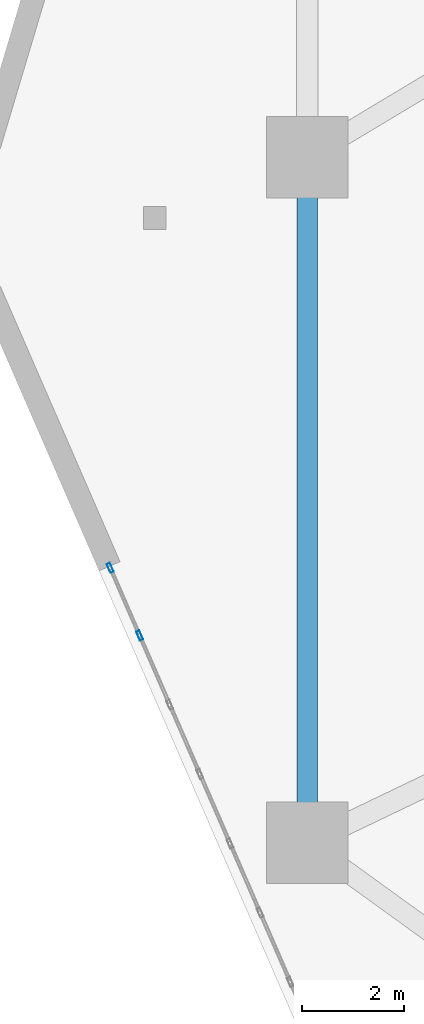
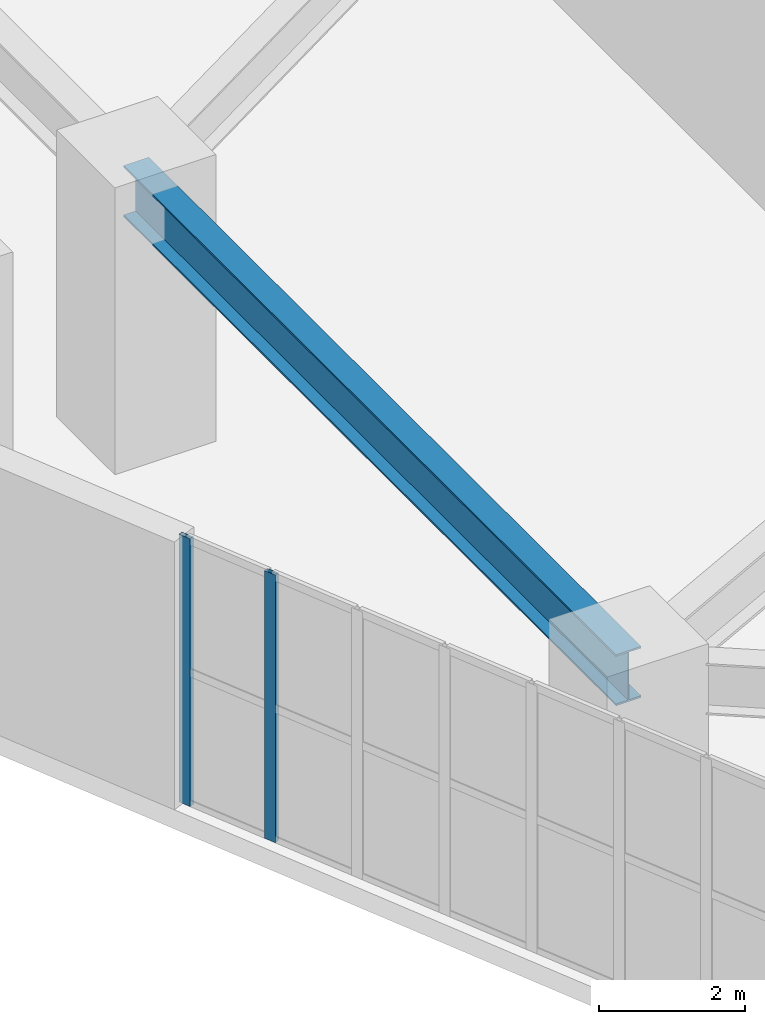
# One storey, part 7 of 17: 2 members, 1 beam, 1 element without a shape of its own.
"""IFC4 building model written with IfcOpenShell, lengths in metres."""

import ifcopenshell
import ifcopenshell.guid

model = None  # the IFC model being written
_history = None  # IfcOwnerHistory: only IFC2X3 demands one
_inside = {}  # id of a spatial element -> (the spatial element, [elements in it])
_under = {}  # id of a project, library or spatial element -> (it, [spatial elements below it])
_declared = {}  # id of a project -> (the project, [libraries it declares])
_typed = {}  # id of a type object -> (the type object, [elements of that type])
_made_of = {}  # id of a material, layer set ... -> (it, [elements and type objects made of it])


def new_model(schema):
    """Start an empty IFC model of exactly this schema.

    Asked for "IFC4X3", IfcOpenShell would pick the latest addendum, in which some entities
    have other attributes; the version numbers below select the first issue.
    IFC2X3 requires an IfcOwnerHistory on every rooted entity: one is made here for all.
    """
    global model, _history
    if schema == "IFC4X3":
        model = ifcopenshell.file(schema_version=(4, 3, 0, 0))
    else:
        model = ifcopenshell.file(schema=schema)
    _inside.clear()
    _under.clear()
    _declared.clear()
    _typed.clear()
    _made_of.clear()
    _history = None
    if model.schema == "IFC2X3":
        org = make("IfcOrganization", Name="unknown")
        user = make(
            "IfcPersonAndOrganization",
            ThePerson=make("IfcPerson", FamilyName="unknown"),
            TheOrganization=org,
        )
        app = make(
            "IfcApplication",
            ApplicationDeveloper=org,
            Version="unknown",
            ApplicationFullName="unknown",
            ApplicationIdentifier="unknown",
        )
        _history = make(
            "IfcOwnerHistory",
            OwningUser=user,
            OwningApplication=app,
            ChangeAction="ADDED",
            CreationDate=0,
        )
    return model


def make(cls, **values):
    """One entity of the class cls with the attributes given. An attribute that is None is left unset."""
    return model.create_entity(
        cls, **{name: value for name, value in values.items() if value is not None}
    )


def rooted(cls, **values):
    """An entity with a GlobalId (a new one), such as an element, a storey or a relation."""
    return make(cls, GlobalId=ifcopenshell.guid.new(), OwnerHistory=_history, **values)


def si_unit(unit_type, name, prefix=None):
    """IfcSIUnit, for example si_unit("LENGTHUNIT", "METRE", prefix="MILLI")."""
    return make("IfcSIUnit", UnitType=unit_type, Prefix=prefix, Name=name)


def assignment(units):
    """IfcUnitAssignment: the units of a project."""
    return None if units is None else make("IfcUnitAssignment", Units=units)


def point(xyz):
    """IfcCartesianPoint."""
    return None if xyz is None else make("IfcCartesianPoint", Coordinates=xyz)


def direction(xyz):
    """IfcDirection."""
    return None if xyz is None else make("IfcDirection", DirectionRatios=xyz)


def frame(location, z_axis=None, x_axis=None):
    """IfcAxis2Placement3D, a coordinate frame: its origin and axes. An axis left out is left unset."""
    return make(
        "IfcAxis2Placement3D",
        Location=point(location),
        Axis=direction(z_axis),
        RefDirection=direction(x_axis),
    )


def frame_2d(location, x_axis=None):
    """IfcAxis2Placement2D, a coordinate frame in the plane: its origin and x axis."""
    return make(
        "IfcAxis2Placement2D", Location=point(location), RefDirection=direction(x_axis)
    )


def origin():
    """The frame at (0, 0, 0) with its axes left unset."""
    return frame((0.0, 0.0, 0.0))


def origin_2d():
    """The frame at (0, 0) in the plane with its x axis left unset."""
    return frame_2d((0.0, 0.0))


def place(relative_to, where):
    """IfcLocalPlacement: puts the frame where relative to a parent placement (None: the world)."""
    return make(
        "IfcLocalPlacement", PlacementRelTo=relative_to, RelativePlacement=where
    )


def context(
    kind, dimensions, precision=None, world=None, true_north=None, identifier=None
):
    """IfcGeometricRepresentationContext, for example the 3D "Model" context."""
    return make(
        "IfcGeometricRepresentationContext",
        ContextIdentifier=identifier,
        ContextType=kind,
        CoordinateSpaceDimension=dimensions,
        Precision=precision,
        WorldCoordinateSystem=world,
        TrueNorth=true_north,
    )


def subcontext(parent, identifier, kind, view, scale=None):
    """IfcGeometricRepresentationSubContext, for example "Body" below "Model"."""
    return make(
        "IfcGeometricRepresentationSubContext",
        ContextIdentifier=identifier,
        ContextType=kind,
        ParentContext=parent,
        TargetScale=scale,
        TargetView=view,
    )


def project(units=None, contexts=None):
    """IfcProject with its units and contexts."""
    return rooted(
        "IfcProject",
        Name="project",
        RepresentationContexts=contexts,
        UnitsInContext=assignment(units),
    )


def spatial(cls, under=None, at=None, **own):
    """A site, building, storey or space (cls), placed at a placement, below another one or the project."""
    s = rooted(cls, ObjectPlacement=at, **own)
    if under is not None:
        _under.setdefault(under.id(), (under, []))[1].append(s)
    return s


def profile(cls, at=None, kind="AREA", **sizes):
    """A parametric profile (cls). Its sizes go by their IFC names, for example OverallWidth=200.0."""
    return make(cls, ProfileType=kind, Position=at, **sizes)


def hollow_rectangle(**sizes):
    """IfcRectangleHollowProfileDef."""
    return profile("IfcRectangleHollowProfileDef", **sizes)


def i_section(**sizes):
    """IfcIShapeProfileDef."""
    return profile("IfcIShapeProfileDef", **sizes)


def extrude(swept, where, along, depth):
    """IfcExtrudedAreaSolid: the profile swept, set in the frame where, extruded along a direction by depth."""
    return make(
        "IfcExtrudedAreaSolid",
        SweptArea=swept,
        Position=where,
        ExtrudedDirection=direction(along),
        Depth=depth,
    )


def shape(context_of_items, identifier, shape_type, items):
    """IfcShapeRepresentation: the items that make up one representation, for example the "Body"."""
    return make(
        "IfcShapeRepresentation",
        ContextOfItems=context_of_items,
        RepresentationIdentifier=identifier,
        RepresentationType=shape_type,
        Items=items,
    )


def material(Name=None, Category=None):
    """IfcMaterial."""
    return make("IfcMaterial", Name=Name, Category=Category)


def layer(
    of_material, thickness, ventilated=None, Name=None, Category=None, Priority=None
):
    """IfcMaterialLayer: one layer of a wall or slab, of a material (None: an air gap)."""
    return make(
        "IfcMaterialLayer",
        Material=of_material,
        LayerThickness=thickness,
        IsVentilated=ventilated,
        Name=Name,
        Category=Category,
        Priority=Priority,
    )


def layer_set(layers, Name=None):
    """IfcMaterialLayerSet."""
    return make("IfcMaterialLayerSet", MaterialLayers=layers, LayerSetName=Name)


def material_profile(
    of_material, cross_section, Name=None, Category=None, Priority=None
):
    """IfcMaterialProfile: a cross section and its material."""
    return make(
        "IfcMaterialProfile",
        Name=Name,
        Material=of_material,
        Profile=cross_section,
        Priority=Priority,
        Category=Category,
    )


def profile_set(profiles, Name=None, composite=None):
    """IfcMaterialProfileSet."""
    return make(
        "IfcMaterialProfileSet",
        Name=Name,
        MaterialProfiles=profiles,
        CompositeProfile=composite,
    )


def made_of(thing, what):
    """Note that an element or type object is made of a material, layer set ...; save() writes the relation."""
    if what is not None:
        _made_of.setdefault(what.id(), (what, []))[1].append(thing)
    return thing


def type_object(cls, material=None, **own):
    """A type object (cls), such as IfcWallType, which elements share."""
    return made_of(rooted(cls, **own), material)


def element(
    cls,
    number,
    at=None,
    inside=None,
    cuts=None,
    type_object=None,
    material=None,
    context=None,
    identifier="Body",
    shape_type=None,
    held_by="IfcProductDefinitionShape",
    body=None,
    shapes=None,
    **own,
):
    """One element of the class cls, such as IfcWall. Its Tag is "e" and its number.

    at: its placement. inside: the storey or other place that contains it. cuts: it is an
    opening in that element (IfcRelVoidsElement). A single representation is given by context,
    identifier, shape_type and body (its items); several are given by shapes. held_by: the class
    of the entity that holds the representations. save() writes the other relations.
    """
    e = rooted(cls, Tag="e%d" % number, ObjectPlacement=at, **own)
    if body is not None:
        shapes = [shape(context, identifier, shape_type, body)]
    if shapes is not None:
        e.Representation = make(held_by, Representations=shapes)
    if inside is not None:
        _inside.setdefault(inside.id(), (inside, []))[1].append(e)
    if cuts is not None:
        rooted(
            "IfcRelVoidsElement", RelatingBuildingElement=cuts, RelatedOpeningElement=e
        )
    if type_object is not None:
        _typed.setdefault(type_object.id(), (type_object, []))[1].append(e)
    return made_of(e, material)


def aggregate(whole, parts):
    """IfcRelAggregates: a whole, such as a stair, and the parts it consists of."""
    return rooted("IfcRelAggregates", RelatingObject=whole, RelatedObjects=parts)


def save(model, path):
    """Write the relations noted so far, then the file.

    IfcRelAggregates (storeys below a building ...), IfcRelContainedInSpatialStructure (elements
    in a storey), IfcRelDefinesByType, IfcRelAssociatesMaterial and IfcRelDeclares: one each for
    every whole, place, type object, material and project.
    """
    for whole, parts in _under.values():
        aggregate(whole, parts)
    for where, things in _inside.values():
        rooted(
            "IfcRelContainedInSpatialStructure",
            RelatedElements=things,
            RelatingStructure=where,
        )
    for kind, things in _typed.values():
        rooted("IfcRelDefinesByType", RelatedObjects=things, RelatingType=kind)
    for what, things in _made_of.values():
        rooted("IfcRelAssociatesMaterial", RelatedObjects=things, RelatingMaterial=what)
    for by, libraries in _declared.values():
        rooted("IfcRelDeclares", RelatingContext=by, RelatedDefinitions=libraries)
    model.write(path)


model = new_model("IFC4")

# Units and contexts
model_context = context("Model", 3, precision=1e-05, world=origin(), true_north=direction((0.0, 1.0)))
body_context = subcontext(model_context, "Body", "Model", "MODEL_VIEW")
ifc_project = project(units=[si_unit("LENGTHUNIT", "METRE"), si_unit("AREAUNIT", "SQUARE_METRE"), si_unit("VOLUMEUNIT", "CUBIC_METRE"), si_unit("PLANEANGLEUNIT", "RADIAN"), si_unit("MASSUNIT", "GRAM", prefix="KILO")], contexts=[model_context])

# Site, building, storey
site_placement = place(None, origin())
site = spatial("IfcSite", under=ifc_project, at=site_placement, CompositionType="ELEMENT")
building_placement = place(site_placement, origin())
building = spatial("IfcBuilding", under=site, at=building_placement, Name="Kilnhurst Terrace Hotel", CompositionType="ELEMENT")
storey_placement = place(building_placement, frame((0.0, 0.0, 18.60009765625)))
storey = spatial("IfcBuildingStorey", under=building, at=storey_placement, Name="L03", CompositionType="ELEMENT", Elevation=18.60009765625)

# Beam
ifc_material_1 = material(Name="Steel ASTM A992 Grade 50", Category="steel")
ifc_material_profile_1 = material_profile(ifc_material_1, i_section(OverallWidth=0.39990234375, OverallDepth=0.85546875, WebThickness=0.018310546875, FlangeThickness=0.029296875, at=origin_2d()), Name="W33X201")
ifc_profile_set_1 = profile_set([ifc_material_profile_1], Name="Steel ASTM A992 Grade 50")
beam_type = type_object("IfcBeamType", Name="BM-STL-W33X201", PredefinedType="BEAM", material=ifc_profile_set_1)
beam_placement = place(storey_placement, frame((-21.5, -13.5, 4.052001953125), z_axis=(0.0, 1.0, 0.0), x_axis=(-1.0, 0.0, 0.0)))
element("IfcBeam", 1, at=beam_placement, inside=storey, type_object=beam_type, Name="L03 Podium Frame Beam 1", PredefinedType="BEAM", context=body_context, shape_type="SweptSolid", body=[
    extrude(i_section(OverallWidth=0.39990234375, OverallDepth=0.85546875, WebThickness=0.018310546875, FlangeThickness=0.029296875, at=origin_2d()), origin(), (0.0, 0.0, 1.0), 13.5),
])

# Curtain wall, members
ifc_material_2 = material(Name="Anodized Aluminium Alloy 6063-T6 and Low-E Glass", Category="aluminium")
ifc_layer = layer(ifc_material_2, 0.219970703125, Name="Anodized Aluminium Alloy 6063-T6 and Low-E Glass")
ifc_layer_set = layer_set([ifc_layer], Name="Anodized Aluminium Alloy 6063-T6 and Low-E Glass")
curtain_wall_type = type_object("IfcCurtainWallType", Name="CW-POD-TERR", PredefinedType="NOTDEFINED", material=ifc_layer_set)
curtain_wall_placement = place(storey_placement, origin())
curtain_wall = element("IfcCurtainWall", 2, at=curtain_wall_placement, inside=storey, type_object=curtain_wall_type, Name="L03 Curtain Wall CW-L03-F6-1", PredefinedType="NOTDEFINED")
ifc_material_3 = material(Name="Extruded Aluminium Alloy 6063-T6", Category="aluminium")
ifc_material_profile_2 = material_profile(ifc_material_3, hollow_rectangle(XDim=0.070068359375, YDim=0.18994140625, WallThickness=0.00390625, at=origin_2d()), Name="CWM70X190")
ifc_profile_set_2 = profile_set([ifc_material_profile_2], Name="Extruded Aluminium Alloy 6063-T6")
member_type = type_object("IfcMemberType", Name="MEM-CWM70X190", PredefinedType="MULLION", material=ifc_profile_set_2)
member_1_placement = place(storey_placement, frame((-25.376953125, -8.085693359375, 0.0), z_axis=(0.0, 0.0, 1.0), x_axis=(0.917041735683, 0.398791242401, 0.0)))
member_1 = element("IfcMember", 3, at=member_1_placement, type_object=member_type, Name="CWT-2 mullion 1", PredefinedType="MULLION", context=body_context, shape_type="SweptSolid", body=[
    extrude(hollow_rectangle(XDim=0.070068359375, YDim=0.18994140625, WallThickness=0.00390625, at=origin_2d()), origin(), (0.0, 0.0, 1.0), 4.47998046875),
])
member_2_placement = place(storey_placement, frame((-24.797607421875, -9.41796875, 0.0), z_axis=(0.0, 0.0, 1.0), x_axis=(0.917041735683, 0.398791242401, 0.0)))
member_2 = element("IfcMember", 4, at=member_2_placement, type_object=member_type, Name="CWT-2 mullion 2", PredefinedType="MULLION", context=body_context, shape_type="SweptSolid", body=[
    extrude(hollow_rectangle(XDim=0.070068359375, YDim=0.18994140625, WallThickness=0.00390625, at=origin_2d()), origin(), (0.0, 0.0, 1.0), 4.47998046875),
])
aggregate(curtain_wall, [member_1, member_2])

save(model, "model.ifc")
